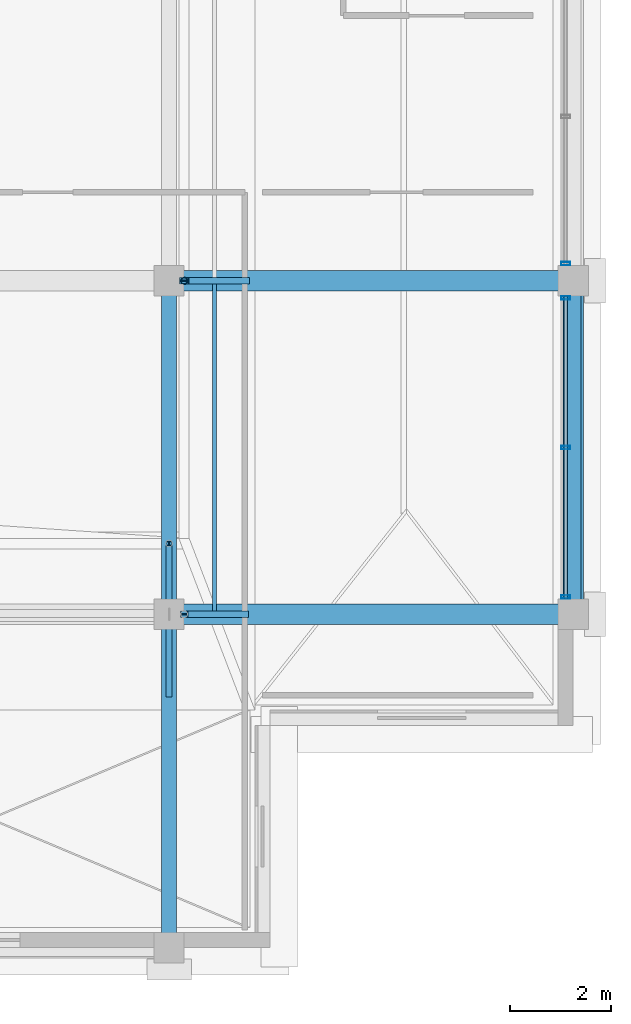
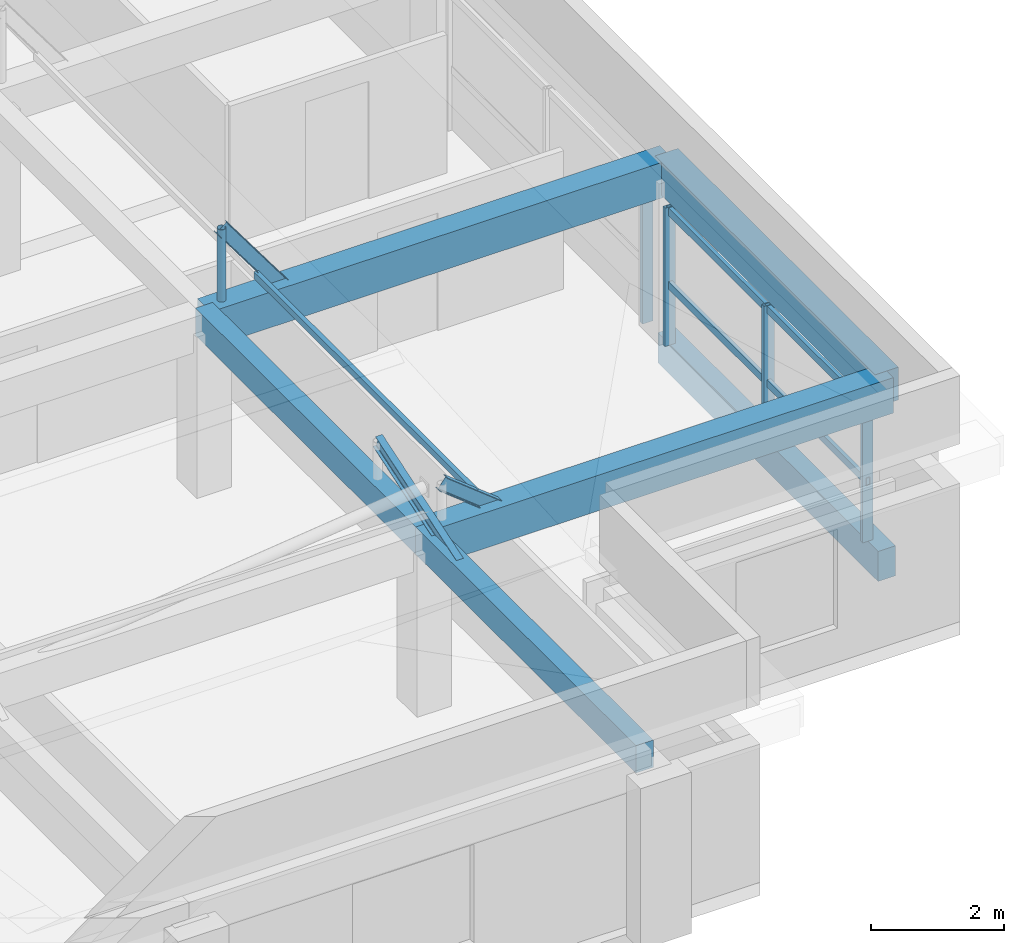
# One storey, part 15 of 39: 11 members, 6 beams, 2 elements without a shape of their own.
"""IFC4 building model written with IfcOpenShell, lengths in metres."""

from ifc_helpers import new_model, si_unit, direction, frame, origin, origin_2d, place, context, subcontext, project, spatial, rectangle, hollow_rectangle, hollow_circle, i_section, extrude, material, material_profile, profile_set, type_object, element, aggregate, save


model = new_model("IFC4")

# Units and contexts
model_context = context("Model", 3, precision=1e-05, world=origin(), true_north=direction((0.0, 1.0)))
body_context = subcontext(model_context, "Body", "Model", "MODEL_VIEW")
ifc_project = project(units=[si_unit("LENGTHUNIT", "METRE"), si_unit("AREAUNIT", "SQUARE_METRE"), si_unit("VOLUMEUNIT", "CUBIC_METRE"), si_unit("PLANEANGLEUNIT", "RADIAN"), si_unit("MASSUNIT", "GRAM", prefix="KILO")], contexts=[model_context])

# Site, building, storey
site_placement = place(None, origin())
site = spatial("IfcSite", under=ifc_project, at=site_placement, CompositionType="ELEMENT")
building_placement = place(site_placement, origin())
building = spatial("IfcBuilding", under=site, at=building_placement, Name="Akrevak Sports Hall", CompositionType="ELEMENT")
storey_placement = place(building_placement, frame((0.0, 0.0, 66.550048828125)))
storey = spatial("IfcBuildingStorey", under=building, at=storey_placement, Name="L17", CompositionType="ELEMENT", Elevation=66.550048828125)

# Curtain wall, members
ifc_material_1 = material(Name="Anodized Bronze Aluminium & Low-E Glass", Category="aluminium")
curtain_wall_type = type_object("IfcCurtainWallType", Name="ARC-CW-TWR-68x30", PredefinedType="NOTDEFINED", material=ifc_material_1)
curtain_wall_1_placement = place(storey_placement, origin())
curtain_wall_1 = element("IfcCurtainWall", 1, at=curtain_wall_1_placement, inside=storey, type_object=curtain_wall_type, Name="Curtain Wall CW-L17-E11", PredefinedType="NOTDEFINED")
ifc_material_2 = material(Name="Anodized Bronze Aluminium", Category="aluminium")
ifc_material_profile_1 = material_profile(ifc_material_2, hollow_rectangle(XDim=0.06494140625, YDim=0.179931640625, WallThickness=0.00390625, at=origin_2d()), Name="CWM 65x180", Category="aluminium")
ifc_profile_set_1 = profile_set([ifc_material_profile_1], Name="Anodized Bronze Aluminium")
member_type_1 = type_object("IfcMemberType", Name="ARC-CWM-65x140", PredefinedType="MULLION", material=ifc_profile_set_1)
member_1_placement = place(storey_placement, frame((107.85009765625, 42.340087890625, 0.0), z_axis=(0.0, 0.0, 1.0), x_axis=(0.0, 1.0, 0.0)))
member_1 = element("IfcMember", 2, at=member_1_placement, type_object=member_type_1, Name="Curtain Wall Mullion CW-L17-E11-M1", PredefinedType="MULLION", context=body_context, shape_type="SweptSolid", body=[
    extrude(hollow_rectangle(XDim=0.06494140625, YDim=0.179931640625, WallThickness=0.00390625, at=origin_2d()), origin(), (0.0, 0.0, 1.0), 2.530029296875),
])
member_2_placement = place(storey_placement, frame((107.85009765625, 45.300048828125, 0.0), z_axis=(0.0, 0.0, 1.0), x_axis=(0.0, 1.0, 0.0)))
member_2 = element("IfcMember", 3, at=member_2_placement, type_object=member_type_1, Name="Curtain Wall Mullion CW-L17-E11-M2", PredefinedType="MULLION", context=body_context, shape_type="SweptSolid", body=[
    extrude(hollow_rectangle(XDim=0.06494140625, YDim=0.179931640625, WallThickness=0.00390625, at=origin_2d()), origin(), (0.0, 0.0, 1.0), 2.530029296875),
])
member_3_placement = place(storey_placement, frame((107.85009765625, 48.260009765625, 0.0), z_axis=(0.0, 0.0, 1.0), x_axis=(0.0, 1.0, 0.0)))
member_3 = element("IfcMember", 4, at=member_3_placement, type_object=member_type_1, Name="Curtain Wall Mullion CW-L17-E11-M3", PredefinedType="MULLION", context=body_context, shape_type="SweptSolid", body=[
    extrude(hollow_rectangle(XDim=0.06494140625, YDim=0.179931640625, WallThickness=0.00390625, at=origin_2d()), origin(), (0.0, 0.0, 1.0), 2.530029296875),
])

# Curtain wall, member
curtain_wall_2_placement = place(storey_placement, origin())
curtain_wall_2 = element("IfcCurtainWall", 5, at=curtain_wall_2_placement, inside=storey, type_object=curtain_wall_type, Name="Curtain Wall CW-L17-E12", PredefinedType="NOTDEFINED")
member_4_placement = place(storey_placement, frame((107.85009765625, 48.93994140625, 0.0), z_axis=(0.0, 0.0, 1.0), x_axis=(0.0, 1.0, 0.0)))
member_4 = element("IfcMember", 6, at=member_4_placement, type_object=member_type_1, Name="Curtain Wall Mullion CW-L17-E12-M1", PredefinedType="MULLION", context=body_context, shape_type="SweptSolid", body=[
    extrude(hollow_rectangle(XDim=0.06494140625, YDim=0.179931640625, WallThickness=0.00390625, at=origin_2d()), origin(), (0.0, 0.0, 1.0), 2.530029296875),
])
aggregate(curtain_wall_2, [member_4])

# Member
ifc_material_profile_2 = material_profile(ifc_material_2, hollow_rectangle(XDim=0.06494140625, YDim=0.139892578125, WallThickness=0.00390625, at=origin_2d()), Name="CWT 65x140", Category="aluminium")
ifc_profile_set_2 = profile_set([ifc_material_profile_2], Name="Anodized Bronze Aluminium")
member_type_2 = type_object("IfcMemberType", Name="ARC-CWT-65x110", PredefinedType="USERDEFINED", material=ifc_profile_set_2)
member_5_placement = place(storey_placement, frame((107.85009765625, 42.300048828125, 1.099853515625), z_axis=(0.0, 1.0, 0.0), x_axis=(-1.0, 0.0, 0.0)))
member_5 = element("IfcMember", 7, at=member_5_placement, type_object=member_type_2, Name="Curtain Wall Transom CW-L17-E11-T1", ObjectType="TRANSOM", PredefinedType="USERDEFINED", context=body_context, shape_type="SweptSolid", body=[
    extrude(hollow_rectangle(XDim=0.06494140625, YDim=0.139892578125, WallThickness=0.00390625, at=origin_2d()), origin(), (0.0, 0.0, 1.0), 6.0),
])

member_6_placement = place(storey_placement, frame((107.85009765625, 42.300048828125, 2.449951171875), z_axis=(0.0, 1.0, 0.0), x_axis=(-1.0, 0.0, 0.0)))
member_6 = element("IfcMember", 8, at=member_6_placement, type_object=member_type_2, Name="Curtain Wall Transom CW-L17-E11-T2", ObjectType="TRANSOM", PredefinedType="USERDEFINED", context=body_context, shape_type="SweptSolid", body=[
    extrude(hollow_rectangle(XDim=0.06494140625, YDim=0.139892578125, WallThickness=0.00390625, at=origin_2d()), origin(), (0.0, 0.0, 1.0), 6.0),
])

aggregate(curtain_wall_1, [member_1, member_2, member_3, member_5, member_6])

# Beams
ifc_material_3 = material(Name="Concrete C40/50", Category="concrete")
ifc_material_profile_3 = material_profile(ifc_material_3, rectangle(XDim=0.300048828125, YDim=0.5, at=origin_2d()), Name="BM 300x500", Category="concrete")
ifc_profile_set_3 = profile_set([ifc_material_profile_3], Name="Concrete C40/50")
beam_type_1 = type_object("IfcBeamType", Name="STR-BM-RC300x500", PredefinedType="BEAM", material=ifc_profile_set_3)
for number, where, z_axis, x_axis, name in (
    (9, (100.0, 35.39990234375, 3.0), (0.0, 1.0, 0.0), (-1.0, 0.0, 0.0), "Girder 14/F-G (ROOF)"),
    (10, (100.0, 42.0, 3.0), (0.0, 1.0, 0.0), (-1.0, 0.0, 0.0), "Girder 14/G-H (ROOF)"),
):
    element("IfcBeam", number, at=place(storey_placement, frame(where, z_axis=z_axis, x_axis=x_axis)), inside=storey, type_object=beam_type_1, Name=name, PredefinedType="BEAM", context=body_context, shape_type="SweptSolid", body=[
        extrude(rectangle(XDim=0.300048828125, YDim=0.5, at=origin_2d()), origin(), (0.0, 0.0, 1.0), 6.60009765625),
    ])
ifc_material_profile_4 = material_profile(ifc_material_3, rectangle(XDim=0.300048828125, YDim=0.550048828125, at=origin_2d()), Name="BM 300x550", Category="concrete")
ifc_profile_set_4 = profile_set([ifc_material_profile_4], Name="Concrete C40/50")
beam_type_2 = type_object("IfcBeamType", Name="STR-BM-RC300x550", PredefinedType="BEAM", material=ifc_profile_set_4)
beam_1_placement = place(storey_placement, frame((108.0, 42.0, -0.275146484375), z_axis=(0.0, 1.0, 0.0), x_axis=(-1.0, 0.0, 0.0)))
element("IfcBeam", 11, at=beam_1_placement, inside=storey, type_object=beam_type_2, Name="Girder 15/G-H (L17)", PredefinedType="BEAM", context=body_context, shape_type="SweptSolid", body=[
    extrude(rectangle(XDim=0.300048828125, YDim=0.550048828125, at=origin_2d()), origin(), (0.0, 0.0, 1.0), 6.60009765625),
])
ifc_material_profile_5 = material_profile(ifc_material_3, rectangle(XDim=0.39990234375, YDim=0.60009765625, at=origin_2d()), Name="BM 400x600", Category="concrete")
ifc_profile_set_5 = profile_set([ifc_material_profile_5], Name="Concrete C40/50")
beam_type_3 = type_object("IfcBeamType", Name="STR-BM-RC400x600", PredefinedType="BEAM", material=ifc_profile_set_5)
beam_2_placement = place(storey_placement, frame((108.0, 42.0, 2.949951171875), z_axis=(0.0, 1.0, 0.0), x_axis=(-1.0, 0.0, 0.0)))
element("IfcBeam", 12, at=beam_2_placement, inside=storey, type_object=beam_type_3, Name="Girder 15/G-H (ROOF)", PredefinedType="BEAM", context=body_context, shape_type="SweptSolid", body=[
    extrude(rectangle(XDim=0.39990234375, YDim=0.60009765625, at=origin_2d()), origin(), (0.0, 0.0, 1.0), 6.60009765625),
])
ifc_material_profile_6 = material_profile(ifc_material_3, rectangle(XDim=0.39990234375, YDim=0.64990234375, at=origin_2d()), Name="BM 400x650", Category="concrete")
ifc_profile_set_6 = profile_set([ifc_material_profile_6], Name="Concrete C40/50")
beam_type_4 = type_object("IfcBeamType", Name="STR-BM-RC400x650", PredefinedType="BEAM", material=ifc_profile_set_6)
for number, where, z_axis, x_axis, name in (
    (13, (100.0, 42.0, 2.925048828125), (1.0, 0.0, 0.0), (0.0, 1.0, 0.0), "Girder G/14-15 (ROOF)"),
    (14, (100.0, 48.60009765625, 2.925048828125), (1.0, 0.0, 0.0), (0.0, 1.0, 0.0), "Girder H/14-15 (ROOF)"),
):
    element("IfcBeam", number, at=place(storey_placement, frame(where, z_axis=z_axis, x_axis=x_axis)), inside=storey, type_object=beam_type_4, Name=name, PredefinedType="BEAM", context=body_context, shape_type="SweptSolid", body=[
        extrude(rectangle(XDim=0.39990234375, YDim=0.64990234375, at=origin_2d()), origin(), (0.0, 0.0, 1.0), 8.0),
    ])

# Members
ifc_material_4 = material(Name="Steel S355", Category="steel")
ifc_material_profile_7 = material_profile(ifc_material_4, hollow_circle(Radius=0.06982421875, WallThickness=0.008056640625, at=origin_2d()), Name="CHS 139.7x8", Category="steel")
ifc_profile_set_7 = profile_set([ifc_material_profile_7], Name="Steel S355")
member_type_3 = type_object("IfcMemberType", Name="STR-MEM-BRACE-CHS139", PredefinedType="BRACE", material=ifc_profile_set_7)
member_7_placement = place(storey_placement, frame((100.300048828125, 48.60009765625, 2.949951171875), z_axis=(0.0, 0.0, 1.0), x_axis=(1.0, 0.0, 0.0)))
element("IfcMember", 15, at=member_7_placement, inside=storey, type_object=member_type_3, Name="Mansard Knee Post MANS-E-E-48", PredefinedType="BRACE", context=body_context, shape_type="SweptSolid", body=[
    extrude(hollow_circle(Radius=0.06982421875, WallThickness=0.008056640625, at=origin_2d()), origin(), (0.0, 0.0, 1.0), 1.6201171875),
])
ifc_material_profile_8 = material_profile(ifc_material_4, hollow_rectangle(XDim=0.080078125, YDim=0.1201171875, WallThickness=0.00634765625, at=origin_2d()), Name="RHS 120x80x6.3", Category="steel")
ifc_profile_set_8 = profile_set([ifc_material_profile_8], Name="Steel S355")
member_type_4 = type_object("IfcMemberType", Name="STR-MEM-PUR-RHS120", PredefinedType="PURLIN", material=ifc_profile_set_8)
member_8_placement = place(storey_placement, frame((100.89990234375, 42.0, 3.5), z_axis=(0.0, 1.0, 0.0), x_axis=(-1.0, 0.0, 0.0)))
element("IfcMember", 16, at=member_8_placement, inside=storey, type_object=member_type_4, Name="Mansard Steel Purlin MANS-E-E-A", PredefinedType="PURLIN", context=body_context, shape_type="SweptSolid", body=[
    extrude(hollow_rectangle(XDim=0.080078125, YDim=0.1201171875, WallThickness=0.00634765625, at=origin_2d()), origin(), (0.0, 0.0, 1.0), 6.60009765625),
])
ifc_material_profile_9 = material_profile(ifc_material_4, i_section(OverallWidth=0.1201171875, OverallDepth=0.239990234375, WebThickness=0.006103515625, FlangeThickness=0.009765625, FilletRadius=0.014892578125, at=origin_2d()), Name="IPE 240", Category="steel")
ifc_profile_set_9 = profile_set([ifc_material_profile_9], Name="Steel S355")
member_type_5 = type_object("IfcMemberType", Name="STR-MEM-RAF-IPE240", PredefinedType="RAFTER", material=ifc_profile_set_9)
member_9_placement = place(storey_placement, frame((100.0, 40.39990234375, 2.949951171875), z_axis=(0.0, 0.950569114948, 0.310513055615), x_axis=(-1.0, 0.0, 0.0)))
element("IfcMember", 17, at=member_9_placement, inside=storey, type_object=member_type_5, Name="Mansard Steel Rafter MANS-E-S-100", PredefinedType="RAFTER", context=body_context, shape_type="SweptSolid", body=[
    extrude(i_section(OverallWidth=0.1201171875, OverallDepth=0.239990234375, WebThickness=0.006103515625, FlangeThickness=0.009765625, FilletRadius=0.014892578125, at=origin_2d()), origin(), (0.0, 0.0, 1.0), 3.156005859375),
])
member_10_placement = place(storey_placement, frame((101.5, 42.0, 2.949951171875), z_axis=(-0.784049059149, 0.0, 0.620698858423), x_axis=(0.0, -1.0, 0.0)))
element("IfcMember", 18, at=member_10_placement, inside=storey, type_object=member_type_5, Name="Mansard Steel Rafter MANS-E-E-42", PredefinedType="RAFTER", context=body_context, shape_type="SweptSolid", body=[
    extrude(i_section(OverallWidth=0.1201171875, OverallDepth=0.239990234375, WebThickness=0.006103515625, FlangeThickness=0.009765625, FilletRadius=0.014892578125, at=origin_2d()), origin(), (0.0, 0.0, 1.0), 1.530517578125),
])
member_11_placement = place(storey_placement, frame((101.5, 48.60009765625, 2.949951171875), z_axis=(-0.595184109849, 0.0, 0.803589369879), x_axis=(0.0, -1.0, 0.0)))
element("IfcMember", 19, at=member_11_placement, inside=storey, type_object=member_type_5, Name="Mansard Steel Rafter MANS-E-E-48", PredefinedType="RAFTER", context=body_context, shape_type="SweptSolid", body=[
    extrude(i_section(OverallWidth=0.1201171875, OverallDepth=0.239990234375, WebThickness=0.006103515625, FlangeThickness=0.009765625, FilletRadius=0.014892578125, at=origin_2d()), origin(), (0.0, 0.0, 1.0), 2.01611328125),
])

save(model, "model.ifc")
